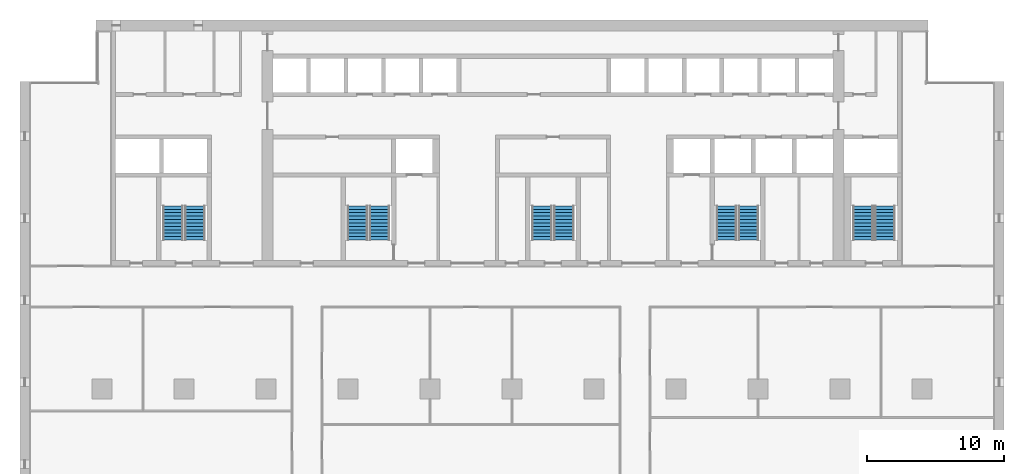
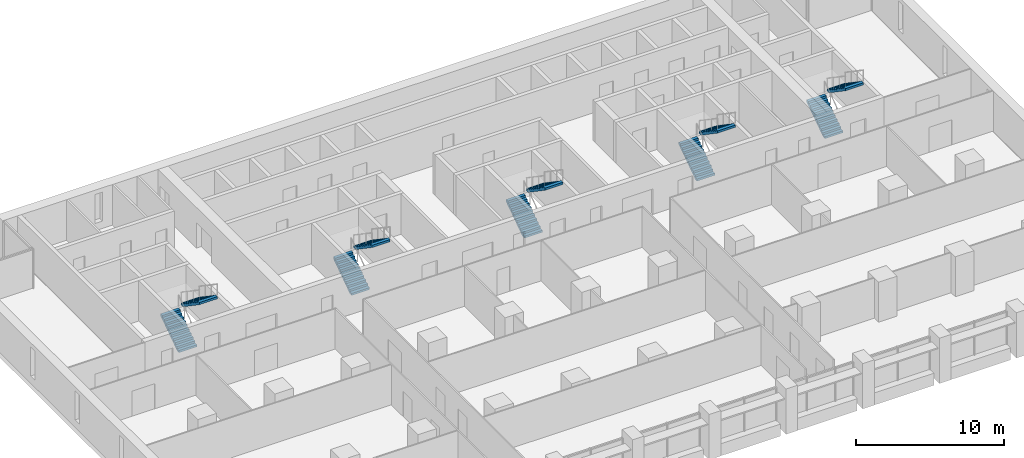
# One storey, part 13 of 17: 10 stair flights, 5 elements without a shape of their own.
"""IFC4 building model written with IfcOpenShell, lengths in metres."""

from ifc_helpers import new_model, si_unit, direction, frame, origin, place, context, subcontext, project, spatial, polyline, outline, extrude, material, type_object, element, aggregate, save


model = new_model("IFC4")

# Units and contexts
model_context = context("Model", 3, precision=1e-05, world=origin(), true_north=direction((0.0, 1.0)))
body_context = subcontext(model_context, "Body", "Model", "MODEL_VIEW")
ifc_project = project(units=[si_unit("LENGTHUNIT", "METRE"), si_unit("AREAUNIT", "SQUARE_METRE"), si_unit("VOLUMEUNIT", "CUBIC_METRE"), si_unit("PLANEANGLEUNIT", "RADIAN"), si_unit("MASSUNIT", "GRAM", prefix="KILO")], contexts=[model_context])

# Site, building, storey
site_placement = place(None, origin())
site = spatial("IfcSite", under=ifc_project, at=site_placement, CompositionType="ELEMENT")
building_placement = place(site_placement, origin())
building = spatial("IfcBuilding", under=site, at=building_placement, Name="Calvaro Tower", CompositionType="ELEMENT")
storey_placement = place(building_placement, frame((0.0, 0.0, 98.75)))
storey = spatial("IfcBuildingStorey", under=building, at=storey_placement, Name="L24", CompositionType="ELEMENT", Elevation=98.75)

# Stair, stair flights
ifc_material_1 = material(Name="Concrete C40/50", Category="concrete")
stair_type = type_object("IfcStairType", Name="Exit stair 1400 2 flights", PredefinedType="HALF_TURN_STAIR", material=ifc_material_1)
stair_1_placement = place(storey_placement, origin())
stair_1 = element("IfcStair", 1, at=stair_1_placement, inside=storey, type_object=stair_type, Name="Exit stair S1", PredefinedType="HALF_TURN_STAIR")
ifc_material_2 = material(Name="Concrete C40/50", Category="concrete")
stair_flight_type = type_object("IfcStairFlightType", Name="Stair flight", PredefinedType="STRAIGHT", material=ifc_material_2)
stair_flight_1_placement = place(storey_placement, frame((11.199951171875, 29.89990234375, 0.0), z_axis=(0.0, 0.0, 1.0), x_axis=(0.0, 1.0, 0.0)))
stair_flight_1 = element("IfcStairFlight", 2, at=stair_flight_1_placement, type_object=stair_flight_type, Name="Exit stair 1, flight 1", NumberOfRisers=11, NumberOfTreads=10, PredefinedType="STRAIGHT", RiserHeight=0.170454545, TreadLength=0.25, context=body_context, shape_type="SweptSolid", body=[
    extrude(outline(polyline([(0.0, 0.0), (0.0, 0.17041015625), (0.25, 0.17041015625), (0.25, 0.3408203125), (0.5, 0.3408203125), (0.5, 0.511474609375), (0.75, 0.511474609375), (0.75, 0.681884765625), (1.0, 0.681884765625), (1.0, 0.852294921875), (1.25, 0.852294921875), (1.25, 1.022705078125), (1.5, 1.022705078125), (1.5, 1.193115234375), (1.75, 1.193115234375), (1.75, 1.363525390625), (2.0, 1.363525390625), (2.0, 1.5341796875), (2.25, 1.5341796875), (2.25, 1.70458984375), (2.5, 1.70458984375), (2.5, 1.875), (2.5, 1.523193359375), (0.26611328125, 0.0), (0.0, 0.0)])), frame((0.0, 0.699951171875, 0.0), z_axis=(0.0, -1.0, 0.0), x_axis=(1.0, 0.0, 0.0)), (0.0, 0.0, 1.0), 1.39990234375),
])
stair_flight_2_placement = place(storey_placement, frame((12.800048828125, 32.39990234375, 1.875), z_axis=(0.0, 0.0, 1.0), x_axis=(0.0, -1.0, 0.0)))
stair_flight_2 = element("IfcStairFlight", 3, at=stair_flight_2_placement, type_object=stair_flight_type, Name="Exit stair 1, flight 2", NumberOfRisers=11, NumberOfTreads=10, PredefinedType="STRAIGHT", RiserHeight=0.170454545, TreadLength=0.25, context=body_context, shape_type="SweptSolid", body=[
    extrude(outline(polyline([(0.0, 0.0), (0.0, 0.17041015625), (0.25, 0.17041015625), (0.25, 0.3408203125), (0.5, 0.3408203125), (0.5, 0.511474609375), (0.75, 0.511474609375), (0.75, 0.681884765625), (1.0, 0.681884765625), (1.0, 0.852294921875), (1.25, 0.852294921875), (1.25, 1.022705078125), (1.5, 1.022705078125), (1.5, 1.193115234375), (1.75, 1.193115234375), (1.75, 1.363525390625), (2.0, 1.363525390625), (2.0, 1.5341796875), (2.25, 1.5341796875), (2.25, 1.70458984375), (2.5, 1.70458984375), (2.5, 1.875), (2.5, 1.523193359375), (0.26611328125, 0.0), (0.0, 0.0)])), frame((0.0, 0.699951171875, 0.0), z_axis=(0.0, -1.0, 0.0), x_axis=(1.0, 0.0, 0.0)), (0.0, 0.0, 1.0), 1.39990234375),
])
aggregate(stair_1, [stair_flight_1, stair_flight_2])

stair_2_placement = place(storey_placement, origin())
stair_2 = element("IfcStair", 4, at=stair_2_placement, inside=storey, type_object=stair_type, Name="Exit stair S2", PredefinedType="HALF_TURN_STAIR")
stair_flight_3_placement = place(storey_placement, frame((24.699951171875, 29.89990234375, 0.0), z_axis=(0.0, 0.0, 1.0), x_axis=(0.0, 1.0, 0.0)))
stair_flight_3 = element("IfcStairFlight", 5, at=stair_flight_3_placement, type_object=stair_flight_type, Name="Exit stair 2, flight 1", NumberOfRisers=11, NumberOfTreads=10, PredefinedType="STRAIGHT", RiserHeight=0.170454545, TreadLength=0.25, context=body_context, shape_type="SweptSolid", body=[
    extrude(outline(polyline([(0.0, 0.0), (0.0, 0.17041015625), (0.25, 0.17041015625), (0.25, 0.3408203125), (0.5, 0.3408203125), (0.5, 0.511474609375), (0.75, 0.511474609375), (0.75, 0.681884765625), (1.0, 0.681884765625), (1.0, 0.852294921875), (1.25, 0.852294921875), (1.25, 1.022705078125), (1.5, 1.022705078125), (1.5, 1.193115234375), (1.75, 1.193115234375), (1.75, 1.363525390625), (2.0, 1.363525390625), (2.0, 1.5341796875), (2.25, 1.5341796875), (2.25, 1.70458984375), (2.5, 1.70458984375), (2.5, 1.875), (2.5, 1.523193359375), (0.26611328125, 0.0), (0.0, 0.0)])), frame((0.0, 0.699951171875, 0.0), z_axis=(0.0, -1.0, 0.0), x_axis=(1.0, 0.0, 0.0)), (0.0, 0.0, 1.0), 1.39990234375),
])
stair_flight_4_placement = place(storey_placement, frame((26.300048828125, 32.39990234375, 1.875), z_axis=(0.0, 0.0, 1.0), x_axis=(0.0, -1.0, 0.0)))
stair_flight_4 = element("IfcStairFlight", 6, at=stair_flight_4_placement, type_object=stair_flight_type, Name="Exit stair 2, flight 2", NumberOfRisers=11, NumberOfTreads=10, PredefinedType="STRAIGHT", RiserHeight=0.170454545, TreadLength=0.25, context=body_context, shape_type="SweptSolid", body=[
    extrude(outline(polyline([(0.0, 0.0), (0.0, 0.17041015625), (0.25, 0.17041015625), (0.25, 0.3408203125), (0.5, 0.3408203125), (0.5, 0.511474609375), (0.75, 0.511474609375), (0.75, 0.681884765625), (1.0, 0.681884765625), (1.0, 0.852294921875), (1.25, 0.852294921875), (1.25, 1.022705078125), (1.5, 1.022705078125), (1.5, 1.193115234375), (1.75, 1.193115234375), (1.75, 1.363525390625), (2.0, 1.363525390625), (2.0, 1.5341796875), (2.25, 1.5341796875), (2.25, 1.70458984375), (2.5, 1.70458984375), (2.5, 1.875), (2.5, 1.523193359375), (0.26611328125, 0.0), (0.0, 0.0)])), frame((0.0, 0.699951171875, 0.0), z_axis=(0.0, -1.0, 0.0), x_axis=(1.0, 0.0, 0.0)), (0.0, 0.0, 1.0), 1.39990234375),
])
aggregate(stair_2, [stair_flight_3, stair_flight_4])

stair_3_placement = place(storey_placement, origin())
stair_3 = element("IfcStair", 7, at=stair_3_placement, inside=storey, type_object=stair_type, Name="Exit stair S3", PredefinedType="HALF_TURN_STAIR")
stair_flight_5_placement = place(storey_placement, frame((38.199951171875, 29.89990234375, 0.0), z_axis=(0.0, 0.0, 1.0), x_axis=(0.0, 1.0, 0.0)))
stair_flight_5 = element("IfcStairFlight", 8, at=stair_flight_5_placement, type_object=stair_flight_type, Name="Exit stair 3, flight 1", NumberOfRisers=11, NumberOfTreads=10, PredefinedType="STRAIGHT", RiserHeight=0.170454545, TreadLength=0.25, context=body_context, shape_type="SweptSolid", body=[
    extrude(outline(polyline([(0.0, 0.0), (0.0, 0.17041015625), (0.25, 0.17041015625), (0.25, 0.3408203125), (0.5, 0.3408203125), (0.5, 0.511474609375), (0.75, 0.511474609375), (0.75, 0.681884765625), (1.0, 0.681884765625), (1.0, 0.852294921875), (1.25, 0.852294921875), (1.25, 1.022705078125), (1.5, 1.022705078125), (1.5, 1.193115234375), (1.75, 1.193115234375), (1.75, 1.363525390625), (2.0, 1.363525390625), (2.0, 1.5341796875), (2.25, 1.5341796875), (2.25, 1.70458984375), (2.5, 1.70458984375), (2.5, 1.875), (2.5, 1.523193359375), (0.26611328125, 0.0), (0.0, 0.0)])), frame((0.0, 0.699951171875, 0.0), z_axis=(0.0, -1.0, 0.0), x_axis=(1.0, 0.0, 0.0)), (0.0, 0.0, 1.0), 1.39990234375),
])
stair_flight_6_placement = place(storey_placement, frame((39.800048828125, 32.39990234375, 1.875), z_axis=(0.0, 0.0, 1.0), x_axis=(0.0, -1.0, 0.0)))
stair_flight_6 = element("IfcStairFlight", 9, at=stair_flight_6_placement, type_object=stair_flight_type, Name="Exit stair 3, flight 2", NumberOfRisers=11, NumberOfTreads=10, PredefinedType="STRAIGHT", RiserHeight=0.170454545, TreadLength=0.25, context=body_context, shape_type="SweptSolid", body=[
    extrude(outline(polyline([(0.0, 0.0), (0.0, 0.17041015625), (0.25, 0.17041015625), (0.25, 0.3408203125), (0.5, 0.3408203125), (0.5, 0.511474609375), (0.75, 0.511474609375), (0.75, 0.681884765625), (1.0, 0.681884765625), (1.0, 0.852294921875), (1.25, 0.852294921875), (1.25, 1.022705078125), (1.5, 1.022705078125), (1.5, 1.193115234375), (1.75, 1.193115234375), (1.75, 1.363525390625), (2.0, 1.363525390625), (2.0, 1.5341796875), (2.25, 1.5341796875), (2.25, 1.70458984375), (2.5, 1.70458984375), (2.5, 1.875), (2.5, 1.523193359375), (0.26611328125, 0.0), (0.0, 0.0)])), frame((0.0, 0.699951171875, 0.0), z_axis=(0.0, -1.0, 0.0), x_axis=(1.0, 0.0, 0.0)), (0.0, 0.0, 1.0), 1.39990234375),
])
aggregate(stair_3, [stair_flight_5, stair_flight_6])

stair_4_placement = place(storey_placement, origin())
stair_4 = element("IfcStair", 10, at=stair_4_placement, inside=storey, type_object=stair_type, Name="Exit stair S4", PredefinedType="HALF_TURN_STAIR")
stair_flight_7_placement = place(storey_placement, frame((51.699951171875, 29.89990234375, 0.0), z_axis=(0.0, 0.0, 1.0), x_axis=(0.0, 1.0, 0.0)))
stair_flight_7 = element("IfcStairFlight", 11, at=stair_flight_7_placement, type_object=stair_flight_type, Name="Exit stair 4, flight 1", NumberOfRisers=11, NumberOfTreads=10, PredefinedType="STRAIGHT", RiserHeight=0.170454545, TreadLength=0.25, context=body_context, shape_type="SweptSolid", body=[
    extrude(outline(polyline([(0.0, 0.0), (0.0, 0.17041015625), (0.25, 0.17041015625), (0.25, 0.3408203125), (0.5, 0.3408203125), (0.5, 0.511474609375), (0.75, 0.511474609375), (0.75, 0.681884765625), (1.0, 0.681884765625), (1.0, 0.852294921875), (1.25, 0.852294921875), (1.25, 1.022705078125), (1.5, 1.022705078125), (1.5, 1.193115234375), (1.75, 1.193115234375), (1.75, 1.363525390625), (2.0, 1.363525390625), (2.0, 1.5341796875), (2.25, 1.5341796875), (2.25, 1.70458984375), (2.5, 1.70458984375), (2.5, 1.875), (2.5, 1.523193359375), (0.26611328125, 0.0), (0.0, 0.0)])), frame((0.0, 0.699951171875, 0.0), z_axis=(0.0, -1.0, 0.0), x_axis=(1.0, 0.0, 0.0)), (0.0, 0.0, 1.0), 1.39990234375),
])
stair_flight_8_placement = place(storey_placement, frame((53.300048828125, 32.39990234375, 1.875), z_axis=(0.0, 0.0, 1.0), x_axis=(0.0, -1.0, 0.0)))
stair_flight_8 = element("IfcStairFlight", 12, at=stair_flight_8_placement, type_object=stair_flight_type, Name="Exit stair 4, flight 2", NumberOfRisers=11, NumberOfTreads=10, PredefinedType="STRAIGHT", RiserHeight=0.170454545, TreadLength=0.25, context=body_context, shape_type="SweptSolid", body=[
    extrude(outline(polyline([(0.0, 0.0), (0.0, 0.17041015625), (0.25, 0.17041015625), (0.25, 0.3408203125), (0.5, 0.3408203125), (0.5, 0.511474609375), (0.75, 0.511474609375), (0.75, 0.681884765625), (1.0, 0.681884765625), (1.0, 0.852294921875), (1.25, 0.852294921875), (1.25, 1.022705078125), (1.5, 1.022705078125), (1.5, 1.193115234375), (1.75, 1.193115234375), (1.75, 1.363525390625), (2.0, 1.363525390625), (2.0, 1.5341796875), (2.25, 1.5341796875), (2.25, 1.70458984375), (2.5, 1.70458984375), (2.5, 1.875), (2.5, 1.523193359375), (0.26611328125, 0.0), (0.0, 0.0)])), frame((0.0, 0.699951171875, 0.0), z_axis=(0.0, -1.0, 0.0), x_axis=(1.0, 0.0, 0.0)), (0.0, 0.0, 1.0), 1.39990234375),
])
aggregate(stair_4, [stair_flight_7, stair_flight_8])

stair_5_placement = place(storey_placement, origin())
stair_5 = element("IfcStair", 13, at=stair_5_placement, inside=storey, type_object=stair_type, Name="Exit stair S5", PredefinedType="HALF_TURN_STAIR")
stair_flight_9_placement = place(storey_placement, frame((61.699951171875, 29.89990234375, 0.0), z_axis=(0.0, 0.0, 1.0), x_axis=(0.0, 1.0, 0.0)))
stair_flight_9 = element("IfcStairFlight", 14, at=stair_flight_9_placement, type_object=stair_flight_type, Name="Exit stair 5, flight 1", NumberOfRisers=11, NumberOfTreads=10, PredefinedType="STRAIGHT", RiserHeight=0.170454545, TreadLength=0.25, context=body_context, shape_type="SweptSolid", body=[
    extrude(outline(polyline([(0.0, 0.0), (0.0, 0.17041015625), (0.25, 0.17041015625), (0.25, 0.3408203125), (0.5, 0.3408203125), (0.5, 0.511474609375), (0.75, 0.511474609375), (0.75, 0.681884765625), (1.0, 0.681884765625), (1.0, 0.852294921875), (1.25, 0.852294921875), (1.25, 1.022705078125), (1.5, 1.022705078125), (1.5, 1.193115234375), (1.75, 1.193115234375), (1.75, 1.363525390625), (2.0, 1.363525390625), (2.0, 1.5341796875), (2.25, 1.5341796875), (2.25, 1.70458984375), (2.5, 1.70458984375), (2.5, 1.875), (2.5, 1.523193359375), (0.26611328125, 0.0), (0.0, 0.0)])), frame((0.0, 0.699951171875, 0.0), z_axis=(0.0, -1.0, 0.0), x_axis=(1.0, 0.0, 0.0)), (0.0, 0.0, 1.0), 1.39990234375),
])
stair_flight_10_placement = place(storey_placement, frame((63.300048828125, 32.39990234375, 1.875), z_axis=(0.0, 0.0, 1.0), x_axis=(0.0, -1.0, 0.0)))
stair_flight_10 = element("IfcStairFlight", 15, at=stair_flight_10_placement, type_object=stair_flight_type, Name="Exit stair 5, flight 2", NumberOfRisers=11, NumberOfTreads=10, PredefinedType="STRAIGHT", RiserHeight=0.170454545, TreadLength=0.25, context=body_context, shape_type="SweptSolid", body=[
    extrude(outline(polyline([(0.0, 0.0), (0.0, 0.17041015625), (0.25, 0.17041015625), (0.25, 0.3408203125), (0.5, 0.3408203125), (0.5, 0.511474609375), (0.75, 0.511474609375), (0.75, 0.681884765625), (1.0, 0.681884765625), (1.0, 0.852294921875), (1.25, 0.852294921875), (1.25, 1.022705078125), (1.5, 1.022705078125), (1.5, 1.193115234375), (1.75, 1.193115234375), (1.75, 1.363525390625), (2.0, 1.363525390625), (2.0, 1.5341796875), (2.25, 1.5341796875), (2.25, 1.70458984375), (2.5, 1.70458984375), (2.5, 1.875), (2.5, 1.523193359375), (0.26611328125, 0.0), (0.0, 0.0)])), frame((0.0, 0.699951171875, 0.0), z_axis=(0.0, -1.0, 0.0), x_axis=(1.0, 0.0, 0.0)), (0.0, 0.0, 1.0), 1.39990234375),
])
aggregate(stair_5, [stair_flight_9, stair_flight_10])

save(model, "model.ifc")
